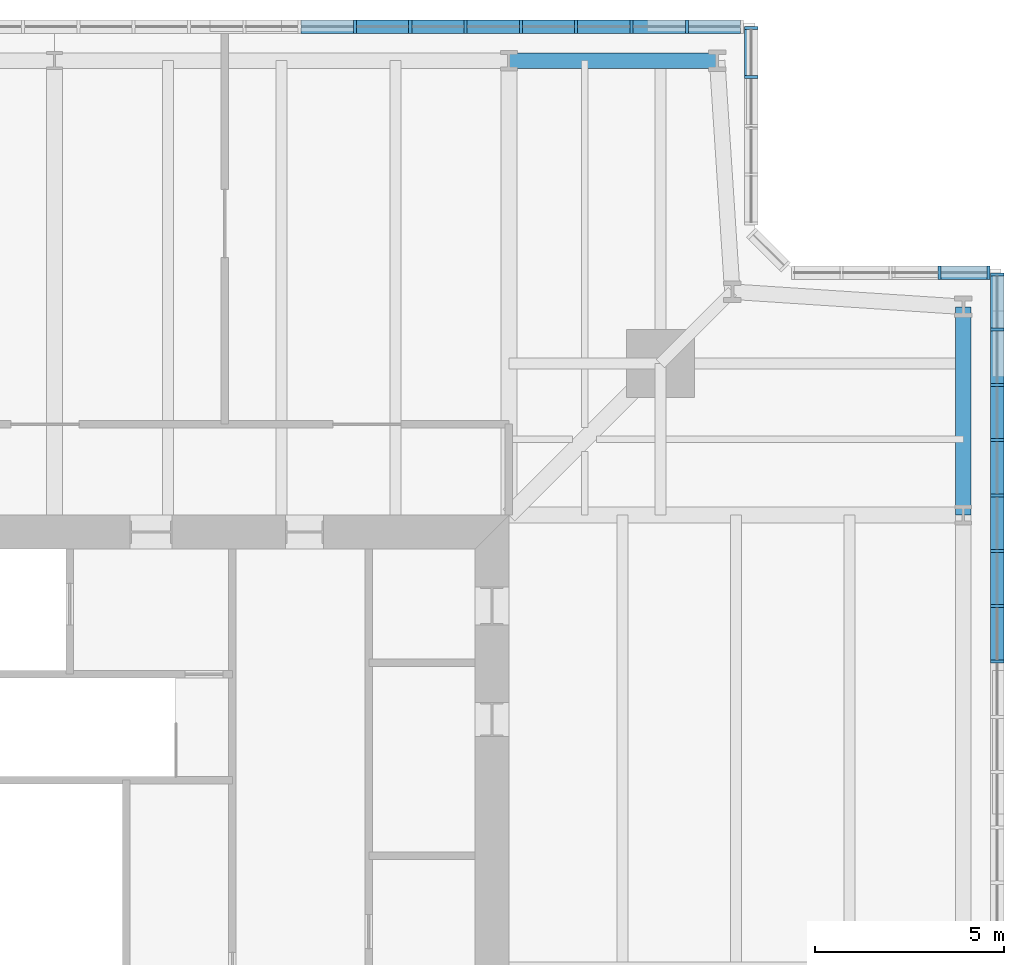
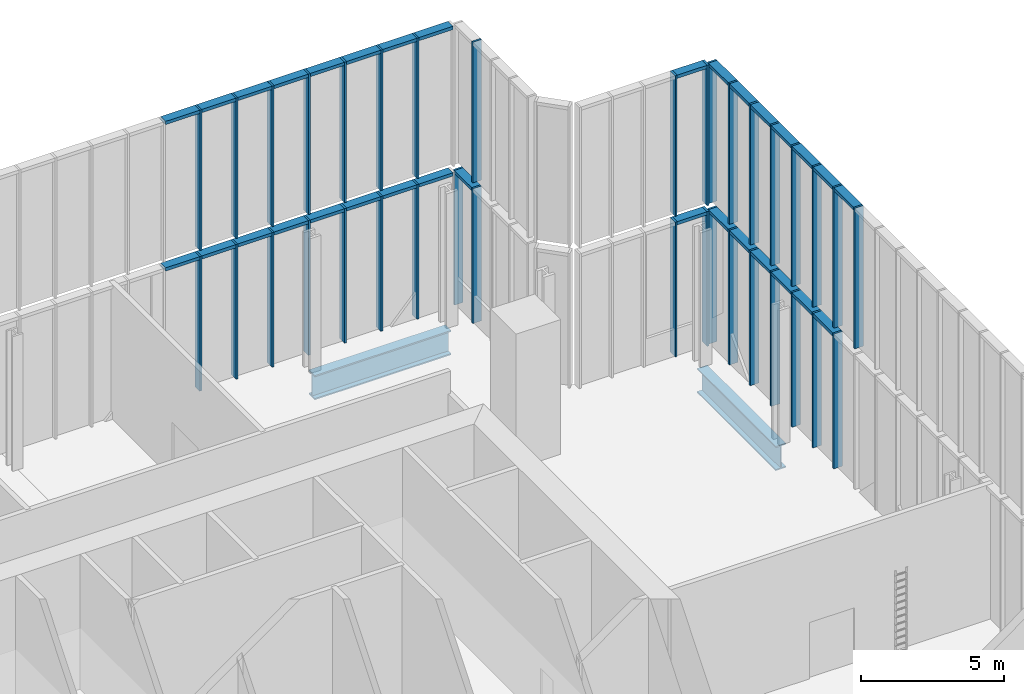
# One storey, part 11 of 25: 68 members, 2 beams, 8 elements without a shape of their own.
"""IFC4 building model written with IfcOpenShell, lengths in metres."""

from ifc_helpers import new_model, si_unit, direction, frame, origin, origin_2d, place, context, subcontext, project, spatial, rectangle, i_section, extrude, material, material_profile, profile_set, type_object, element, aggregate, save


model = new_model("IFC4")

# Units and contexts
model_context = context("Model", 3, precision=1e-05, world=origin(), true_north=direction((0.0, 1.0)))
body_context = subcontext(model_context, "Body", "Model", "MODEL_VIEW")
ifc_project = project(units=[si_unit("LENGTHUNIT", "METRE"), si_unit("AREAUNIT", "SQUARE_METRE"), si_unit("VOLUMEUNIT", "CUBIC_METRE"), si_unit("PLANEANGLEUNIT", "RADIAN"), si_unit("MASSUNIT", "GRAM", prefix="KILO")], contexts=[model_context])

# Site, building, storey
site_placement = place(None, origin())
site = spatial("IfcSite", under=ifc_project, at=site_placement, CompositionType="ELEMENT")
building_placement = place(site_placement, origin())
building = spatial("IfcBuilding", under=site, at=building_placement, Name="Fenwick Lantern Interchange", CompositionType="ELEMENT")
storey_placement = place(building_placement, frame((0.0, 0.0, 307.800048828125)))
storey = spatial("IfcBuildingStorey", under=building, at=storey_placement, Name="L74", CompositionType="ELEMENT", Elevation=307.800048828125)

# Beams
ifc_material_1 = material(Name="Steel ASTM A992 Grade 50", Category="steel")
ifc_material_profile_1 = material_profile(ifc_material_1, i_section(OverallWidth=0.408935546875, OverallDepth=1.04150390625, WebThickness=0.031005859375, FlangeThickness=0.055908203125, at=origin_2d()), Name="W40X397")
ifc_profile_set_1 = profile_set([ifc_material_profile_1], Name="Steel ASTM A992 Grade 50")
beam_type = type_object("IfcBeamType", Name="EDGE BEAM W40X397", PredefinedType="SPANDREL", material=ifc_profile_set_1)
for number, where, z_axis, x_axis, name in (
    (1, (49.0, 37.0, -0.720703125), (0.0, 1.0, 0.0), (-1.0, 0.0, 0.0), "L74/FR/E/EB4"),
    (2, (42.5, 49.0, -0.720703125), (-1.0, 0.0, 0.0), (0.0, -1.0, 0.0), "L74/FR/N/EB1"),
):
    element("IfcBeam", number, at=place(storey_placement, frame(where, z_axis=z_axis, x_axis=x_axis)), inside=storey, type_object=beam_type, Name=name, PredefinedType="SPANDREL", context=body_context, shape_type="SweptSolid", body=[
        extrude(i_section(OverallWidth=0.408935546875, OverallDepth=1.04150390625, WebThickness=0.031005859375, FlangeThickness=0.055908203125, at=origin_2d()), origin(), (0.0, 0.0, 1.0), 5.5),
    ])

# Curtain wall, members
ifc_material_2 = material(Name="Aluminium curtain wall frame", Category="aluminium")
curtain_wall_type = type_object("IfcCurtainWallType", Name="LANTERN GLAZING", PredefinedType="USERDEFINED", material=ifc_material_2)
curtain_wall_1_placement = place(storey_placement, origin())
curtain_wall_1 = element("IfcCurtainWall", 3, at=curtain_wall_1_placement, inside=storey, type_object=curtain_wall_type, Name="Lantern glazing 05", ObjectType="LANTERN GLAZING", PredefinedType="USERDEFINED")
ifc_material_3 = material(Name="Aluminium extrusion", Category="aluminium")
ifc_material_profile_2 = material_profile(ifc_material_3, rectangle(XDim=0.35009765625, YDim=0.080078125, at=origin_2d()), Name="LANTERN GLAZING MULLION 80 X 350")
ifc_profile_set_2 = profile_set([ifc_material_profile_2], Name="Aluminium extrusion")
member_type_1 = type_object("IfcMemberType", Name="LANTERN GLAZING MULLION 80 X 350", PredefinedType="MULLION", material=ifc_profile_set_2)
member_1_placement = place(storey_placement, frame((49.89990234375, 34.59521484375, 0.0), z_axis=(0.0, 0.0, 1.0), x_axis=(-1.0, 0.0, 0.0)))
member_1 = element("IfcMember", 4, at=member_1_placement, type_object=member_type_1, Name="L74/CW/05/M19", PredefinedType="MULLION", context=body_context, shape_type="SweptSolid", body=[
    extrude(rectangle(XDim=0.35009765625, YDim=0.080078125, at=origin_2d()), origin(), (0.0, 0.0, 1.0), 5.75),
])
member_2_placement = place(storey_placement, frame((49.89990234375, 36.055908203125, 0.0), z_axis=(0.0, 0.0, 1.0), x_axis=(-1.0, 0.0, 0.0)))
member_2 = element("IfcMember", 5, at=member_2_placement, type_object=member_type_1, Name="L74/CW/05/M20", PredefinedType="MULLION", context=body_context, shape_type="SweptSolid", body=[
    extrude(rectangle(XDim=0.35009765625, YDim=0.080078125, at=origin_2d()), origin(), (0.0, 0.0, 1.0), 5.75),
])
member_3_placement = place(storey_placement, frame((49.89990234375, 37.516845703125, 0.0), z_axis=(0.0, 0.0, 1.0), x_axis=(-1.0, 0.0, 0.0)))
member_3 = element("IfcMember", 6, at=member_3_placement, type_object=member_type_1, Name="L74/CW/05/M21", PredefinedType="MULLION", context=body_context, shape_type="SweptSolid", body=[
    extrude(rectangle(XDim=0.35009765625, YDim=0.080078125, at=origin_2d()), origin(), (0.0, 0.0, 1.0), 5.75),
])
member_4_placement = place(storey_placement, frame((49.89990234375, 38.9775390625, 0.0), z_axis=(0.0, 0.0, 1.0), x_axis=(-1.0, 0.0, 0.0)))
member_4 = element("IfcMember", 7, at=member_4_placement, type_object=member_type_1, Name="L74/CW/05/M22", PredefinedType="MULLION", context=body_context, shape_type="SweptSolid", body=[
    extrude(rectangle(XDim=0.35009765625, YDim=0.080078125, at=origin_2d()), origin(), (0.0, 0.0, 1.0), 5.75),
])
member_5_placement = place(storey_placement, frame((49.89990234375, 40.4384765625, 0.0), z_axis=(0.0, 0.0, 1.0), x_axis=(-1.0, 0.0, 0.0)))
member_5 = element("IfcMember", 8, at=member_5_placement, type_object=member_type_1, Name="L74/CW/05/M23", PredefinedType="MULLION", context=body_context, shape_type="SweptSolid", body=[
    extrude(rectangle(XDim=0.35009765625, YDim=0.080078125, at=origin_2d()), origin(), (0.0, 0.0, 1.0), 5.75),
])
member_6_placement = place(storey_placement, frame((49.89990234375, 41.899169921875, 0.0), z_axis=(0.0, 0.0, 1.0), x_axis=(-1.0, 0.0, 0.0)))
member_6 = element("IfcMember", 9, at=member_6_placement, type_object=member_type_1, Name="L74/CW/05/M24", PredefinedType="MULLION", context=body_context, shape_type="SweptSolid", body=[
    extrude(rectangle(XDim=0.35009765625, YDim=0.080078125, at=origin_2d()), origin(), (0.0, 0.0, 1.0), 5.75),
])
member_7_placement = place(storey_placement, frame((49.89990234375, 43.360107421875, 0.0), z_axis=(0.0, 0.0, 1.0), x_axis=(-1.0, 0.0, 0.0)))
member_7 = element("IfcMember", 10, at=member_7_placement, type_object=member_type_1, Name="L74/CW/05/M25", PredefinedType="MULLION", context=body_context, shape_type="SweptSolid", body=[
    extrude(rectangle(XDim=0.35009765625, YDim=0.080078125, at=origin_2d()), origin(), (0.0, 0.0, 1.0), 5.75),
])

curtain_wall_2_placement = place(storey_placement, origin())
curtain_wall_2 = element("IfcCurtainWall", 11, at=curtain_wall_2_placement, inside=storey, type_object=curtain_wall_type, Name="Lantern glazing 06", ObjectType="LANTERN GLAZING", PredefinedType="USERDEFINED")
member_8_placement = place(storey_placement, frame((49.659912109375, 43.39990234375, 0.0), z_axis=(0.0, 0.0, 1.0), x_axis=(0.0, -1.0, 0.0)))
member_8 = element("IfcMember", 12, at=member_8_placement, type_object=member_type_1, Name="L74/CW/06/M00", PredefinedType="MULLION", context=body_context, shape_type="SweptSolid", body=[
    extrude(rectangle(XDim=0.35009765625, YDim=0.080078125, at=origin_2d()), origin(), (0.0, 0.0, 1.0), 5.75),
])
member_9_placement = place(storey_placement, frame((48.36962890625, 43.39990234375, 0.0), z_axis=(0.0, 0.0, 1.0), x_axis=(0.0, -1.0, 0.0)))
member_9 = element("IfcMember", 13, at=member_9_placement, type_object=member_type_1, Name="L74/CW/06/M01", PredefinedType="MULLION", context=body_context, shape_type="SweptSolid", body=[
    extrude(rectangle(XDim=0.35009765625, YDim=0.080078125, at=origin_2d()), origin(), (0.0, 0.0, 1.0), 5.75),
])

curtain_wall_3_placement = place(storey_placement, origin())
curtain_wall_3 = element("IfcCurtainWall", 14, at=curtain_wall_3_placement, inside=storey, type_object=curtain_wall_type, Name="Lantern glazing 08", ObjectType="LANTERN GLAZING", PredefinedType="USERDEFINED")
member_10_placement = place(storey_placement, frame((43.39990234375, 48.569580078125, 0.0), z_axis=(0.0, 0.0, 1.0), x_axis=(-1.0, 0.0, 0.0)))
member_10 = element("IfcMember", 15, at=member_10_placement, type_object=member_type_1, Name="L74/CW/08/M03", PredefinedType="MULLION", context=body_context, shape_type="SweptSolid", body=[
    extrude(rectangle(XDim=0.35009765625, YDim=0.080078125, at=origin_2d()), origin(), (0.0, 0.0, 1.0), 5.75),
])
member_11_placement = place(storey_placement, frame((43.39990234375, 49.860107421875, 0.0), z_axis=(0.0, 0.0, 1.0), x_axis=(-1.0, 0.0, 0.0)))
member_11 = element("IfcMember", 16, at=member_11_placement, type_object=member_type_1, Name="L74/CW/08/M04", PredefinedType="MULLION", context=body_context, shape_type="SweptSolid", body=[
    extrude(rectangle(XDim=0.35009765625, YDim=0.080078125, at=origin_2d()), origin(), (0.0, 0.0, 1.0), 5.75),
])

curtain_wall_4_placement = place(storey_placement, origin())
curtain_wall_4 = element("IfcCurtainWall", 17, at=curtain_wall_4_placement, inside=storey, type_object=curtain_wall_type, Name="Lantern glazing 09", ObjectType="LANTERN GLAZING", PredefinedType="USERDEFINED")
member_12_placement = place(storey_placement, frame((41.69921875, 49.89990234375, 0.0), z_axis=(0.0, 0.0, 1.0), x_axis=(0.0, -1.0, 0.0)))
member_12 = element("IfcMember", 18, at=member_12_placement, type_object=member_type_1, Name="L74/CW/09/M01", PredefinedType="MULLION", context=body_context, shape_type="SweptSolid", body=[
    extrude(rectangle(XDim=0.35009765625, YDim=0.080078125, at=origin_2d()), origin(), (0.0, 0.0, 1.0), 5.75),
])
member_13_placement = place(storey_placement, frame((40.23828125, 49.89990234375, 0.0), z_axis=(0.0, 0.0, 1.0), x_axis=(0.0, -1.0, 0.0)))
member_13 = element("IfcMember", 19, at=member_13_placement, type_object=member_type_1, Name="L74/CW/09/M02", PredefinedType="MULLION", context=body_context, shape_type="SweptSolid", body=[
    extrude(rectangle(XDim=0.35009765625, YDim=0.080078125, at=origin_2d()), origin(), (0.0, 0.0, 1.0), 5.75),
])
member_14_placement = place(storey_placement, frame((38.777587890625, 49.89990234375, 0.0), z_axis=(0.0, 0.0, 1.0), x_axis=(0.0, -1.0, 0.0)))
member_14 = element("IfcMember", 20, at=member_14_placement, type_object=member_type_1, Name="L74/CW/09/M03", PredefinedType="MULLION", context=body_context, shape_type="SweptSolid", body=[
    extrude(rectangle(XDim=0.35009765625, YDim=0.080078125, at=origin_2d()), origin(), (0.0, 0.0, 1.0), 5.75),
])
member_15_placement = place(storey_placement, frame((37.31689453125, 49.89990234375, 0.0), z_axis=(0.0, 0.0, 1.0), x_axis=(0.0, -1.0, 0.0)))
member_15 = element("IfcMember", 21, at=member_15_placement, type_object=member_type_1, Name="L74/CW/09/M04", PredefinedType="MULLION", context=body_context, shape_type="SweptSolid", body=[
    extrude(rectangle(XDim=0.35009765625, YDim=0.080078125, at=origin_2d()), origin(), (0.0, 0.0, 1.0), 5.75),
])
member_16_placement = place(storey_placement, frame((35.85595703125, 49.89990234375, 0.0), z_axis=(0.0, 0.0, 1.0), x_axis=(0.0, -1.0, 0.0)))
member_16 = element("IfcMember", 22, at=member_16_placement, type_object=member_type_1, Name="L74/CW/09/M05", PredefinedType="MULLION", context=body_context, shape_type="SweptSolid", body=[
    extrude(rectangle(XDim=0.35009765625, YDim=0.080078125, at=origin_2d()), origin(), (0.0, 0.0, 1.0), 5.75),
])
member_17_placement = place(storey_placement, frame((34.395263671875, 49.89990234375, 0.0), z_axis=(0.0, 0.0, 1.0), x_axis=(0.0, -1.0, 0.0)))
member_17 = element("IfcMember", 23, at=member_17_placement, type_object=member_type_1, Name="L74/CW/09/M06", PredefinedType="MULLION", context=body_context, shape_type="SweptSolid", body=[
    extrude(rectangle(XDim=0.35009765625, YDim=0.080078125, at=origin_2d()), origin(), (0.0, 0.0, 1.0), 5.75),
])
member_18_placement = place(storey_placement, frame((32.934326171875, 49.89990234375, 0.0), z_axis=(0.0, 0.0, 1.0), x_axis=(0.0, -1.0, 0.0)))
member_18 = element("IfcMember", 24, at=member_18_placement, type_object=member_type_1, Name="L74/CW/09/M07", PredefinedType="MULLION", context=body_context, shape_type="SweptSolid", body=[
    extrude(rectangle(XDim=0.35009765625, YDim=0.080078125, at=origin_2d()), origin(), (0.0, 0.0, 1.0), 5.75),
])

curtain_wall_5_placement = place(storey_placement, origin())
curtain_wall_5 = element("IfcCurtainWall", 25, at=curtain_wall_5_placement, inside=storey, type_object=curtain_wall_type, Name="Lantern glazing 05", ObjectType="LANTERN GLAZING", PredefinedType="USERDEFINED")
member_19_placement = place(storey_placement, frame((49.89990234375, 33.134521484375, 6.0), z_axis=(0.0, 0.0, 1.0), x_axis=(-1.0, 0.0, 0.0)))
member_19 = element("IfcMember", 26, at=member_19_placement, type_object=member_type_1, Name="RF/LANTERN/05/M18", PredefinedType="MULLION", context=body_context, shape_type="SweptSolid", body=[
    extrude(rectangle(XDim=0.35009765625, YDim=0.080078125, at=origin_2d()), origin(), (0.0, 0.0, 1.0), 6.0),
])
member_20_placement = place(storey_placement, frame((49.89990234375, 34.59521484375, 6.0), z_axis=(0.0, 0.0, 1.0), x_axis=(-1.0, 0.0, 0.0)))
member_20 = element("IfcMember", 27, at=member_20_placement, type_object=member_type_1, Name="RF/LANTERN/05/M19", PredefinedType="MULLION", context=body_context, shape_type="SweptSolid", body=[
    extrude(rectangle(XDim=0.35009765625, YDim=0.080078125, at=origin_2d()), origin(), (0.0, 0.0, 1.0), 6.0),
])
member_21_placement = place(storey_placement, frame((49.89990234375, 36.055908203125, 6.0), z_axis=(0.0, 0.0, 1.0), x_axis=(-1.0, 0.0, 0.0)))
member_21 = element("IfcMember", 28, at=member_21_placement, type_object=member_type_1, Name="RF/LANTERN/05/M20", PredefinedType="MULLION", context=body_context, shape_type="SweptSolid", body=[
    extrude(rectangle(XDim=0.35009765625, YDim=0.080078125, at=origin_2d()), origin(), (0.0, 0.0, 1.0), 6.0),
])
member_22_placement = place(storey_placement, frame((49.89990234375, 37.516845703125, 6.0), z_axis=(0.0, 0.0, 1.0), x_axis=(-1.0, 0.0, 0.0)))
member_22 = element("IfcMember", 29, at=member_22_placement, type_object=member_type_1, Name="RF/LANTERN/05/M21", PredefinedType="MULLION", context=body_context, shape_type="SweptSolid", body=[
    extrude(rectangle(XDim=0.35009765625, YDim=0.080078125, at=origin_2d()), origin(), (0.0, 0.0, 1.0), 6.0),
])
member_23_placement = place(storey_placement, frame((49.89990234375, 38.9775390625, 6.0), z_axis=(0.0, 0.0, 1.0), x_axis=(-1.0, 0.0, 0.0)))
member_23 = element("IfcMember", 30, at=member_23_placement, type_object=member_type_1, Name="RF/LANTERN/05/M22", PredefinedType="MULLION", context=body_context, shape_type="SweptSolid", body=[
    extrude(rectangle(XDim=0.35009765625, YDim=0.080078125, at=origin_2d()), origin(), (0.0, 0.0, 1.0), 6.0),
])
member_24_placement = place(storey_placement, frame((49.89990234375, 40.4384765625, 6.0), z_axis=(0.0, 0.0, 1.0), x_axis=(-1.0, 0.0, 0.0)))
member_24 = element("IfcMember", 31, at=member_24_placement, type_object=member_type_1, Name="RF/LANTERN/05/M23", PredefinedType="MULLION", context=body_context, shape_type="SweptSolid", body=[
    extrude(rectangle(XDim=0.35009765625, YDim=0.080078125, at=origin_2d()), origin(), (0.0, 0.0, 1.0), 6.0),
])
member_25_placement = place(storey_placement, frame((49.89990234375, 41.899169921875, 6.0), z_axis=(0.0, 0.0, 1.0), x_axis=(-1.0, 0.0, 0.0)))
member_25 = element("IfcMember", 32, at=member_25_placement, type_object=member_type_1, Name="RF/LANTERN/05/M24", PredefinedType="MULLION", context=body_context, shape_type="SweptSolid", body=[
    extrude(rectangle(XDim=0.35009765625, YDim=0.080078125, at=origin_2d()), origin(), (0.0, 0.0, 1.0), 6.0),
])
member_26_placement = place(storey_placement, frame((49.89990234375, 43.360107421875, 6.0), z_axis=(0.0, 0.0, 1.0), x_axis=(-1.0, 0.0, 0.0)))
member_26 = element("IfcMember", 33, at=member_26_placement, type_object=member_type_1, Name="RF/LANTERN/05/M25", PredefinedType="MULLION", context=body_context, shape_type="SweptSolid", body=[
    extrude(rectangle(XDim=0.35009765625, YDim=0.080078125, at=origin_2d()), origin(), (0.0, 0.0, 1.0), 6.0),
])

curtain_wall_6_placement = place(storey_placement, origin())
curtain_wall_6 = element("IfcCurtainWall", 34, at=curtain_wall_6_placement, inside=storey, type_object=curtain_wall_type, Name="Lantern glazing 06", ObjectType="LANTERN GLAZING", PredefinedType="USERDEFINED")
member_27_placement = place(storey_placement, frame((49.659912109375, 43.39990234375, 6.0), z_axis=(0.0, 0.0, 1.0), x_axis=(0.0, -1.0, 0.0)))
member_27 = element("IfcMember", 35, at=member_27_placement, type_object=member_type_1, Name="RF/LANTERN/06/M00", PredefinedType="MULLION", context=body_context, shape_type="SweptSolid", body=[
    extrude(rectangle(XDim=0.35009765625, YDim=0.080078125, at=origin_2d()), origin(), (0.0, 0.0, 1.0), 6.0),
])
member_28_placement = place(storey_placement, frame((48.36962890625, 43.39990234375, 6.0), z_axis=(0.0, 0.0, 1.0), x_axis=(0.0, -1.0, 0.0)))
member_28 = element("IfcMember", 36, at=member_28_placement, type_object=member_type_1, Name="RF/LANTERN/06/M01", PredefinedType="MULLION", context=body_context, shape_type="SweptSolid", body=[
    extrude(rectangle(XDim=0.35009765625, YDim=0.080078125, at=origin_2d()), origin(), (0.0, 0.0, 1.0), 6.0),
])

# Curtain wall, member
curtain_wall_7_placement = place(storey_placement, origin())
curtain_wall_7 = element("IfcCurtainWall", 37, at=curtain_wall_7_placement, inside=storey, type_object=curtain_wall_type, Name="Lantern glazing 08", ObjectType="LANTERN GLAZING", PredefinedType="USERDEFINED")
member_29_placement = place(storey_placement, frame((43.39990234375, 48.569580078125, 6.0), z_axis=(0.0, 0.0, 1.0), x_axis=(-1.0, 0.0, 0.0)))
member_29 = element("IfcMember", 38, at=member_29_placement, type_object=member_type_1, Name="RF/LANTERN/08/M03", PredefinedType="MULLION", context=body_context, shape_type="SweptSolid", body=[
    extrude(rectangle(XDim=0.35009765625, YDim=0.080078125, at=origin_2d()), origin(), (0.0, 0.0, 1.0), 6.0),
])
aggregate(curtain_wall_7, [member_29])

# Curtain wall, members
curtain_wall_8_placement = place(storey_placement, origin())
curtain_wall_8 = element("IfcCurtainWall", 39, at=curtain_wall_8_placement, inside=storey, type_object=curtain_wall_type, Name="Lantern glazing 09", ObjectType="LANTERN GLAZING", PredefinedType="USERDEFINED")
member_30_placement = place(storey_placement, frame((41.69921875, 49.89990234375, 6.0), z_axis=(0.0, 0.0, 1.0), x_axis=(0.0, -1.0, 0.0)))
member_30 = element("IfcMember", 40, at=member_30_placement, type_object=member_type_1, Name="RF/LANTERN/09/M01", PredefinedType="MULLION", context=body_context, shape_type="SweptSolid", body=[
    extrude(rectangle(XDim=0.35009765625, YDim=0.080078125, at=origin_2d()), origin(), (0.0, 0.0, 1.0), 6.0),
])
member_31_placement = place(storey_placement, frame((40.23828125, 49.89990234375, 6.0), z_axis=(0.0, 0.0, 1.0), x_axis=(0.0, -1.0, 0.0)))
member_31 = element("IfcMember", 41, at=member_31_placement, type_object=member_type_1, Name="RF/LANTERN/09/M02", PredefinedType="MULLION", context=body_context, shape_type="SweptSolid", body=[
    extrude(rectangle(XDim=0.35009765625, YDim=0.080078125, at=origin_2d()), origin(), (0.0, 0.0, 1.0), 6.0),
])
member_32_placement = place(storey_placement, frame((38.777587890625, 49.89990234375, 6.0), z_axis=(0.0, 0.0, 1.0), x_axis=(0.0, -1.0, 0.0)))
member_32 = element("IfcMember", 42, at=member_32_placement, type_object=member_type_1, Name="RF/LANTERN/09/M03", PredefinedType="MULLION", context=body_context, shape_type="SweptSolid", body=[
    extrude(rectangle(XDim=0.35009765625, YDim=0.080078125, at=origin_2d()), origin(), (0.0, 0.0, 1.0), 6.0),
])
member_33_placement = place(storey_placement, frame((37.31689453125, 49.89990234375, 6.0), z_axis=(0.0, 0.0, 1.0), x_axis=(0.0, -1.0, 0.0)))
member_33 = element("IfcMember", 43, at=member_33_placement, type_object=member_type_1, Name="RF/LANTERN/09/M04", PredefinedType="MULLION", context=body_context, shape_type="SweptSolid", body=[
    extrude(rectangle(XDim=0.35009765625, YDim=0.080078125, at=origin_2d()), origin(), (0.0, 0.0, 1.0), 6.0),
])
member_34_placement = place(storey_placement, frame((35.85595703125, 49.89990234375, 6.0), z_axis=(0.0, 0.0, 1.0), x_axis=(0.0, -1.0, 0.0)))
member_34 = element("IfcMember", 44, at=member_34_placement, type_object=member_type_1, Name="RF/LANTERN/09/M05", PredefinedType="MULLION", context=body_context, shape_type="SweptSolid", body=[
    extrude(rectangle(XDim=0.35009765625, YDim=0.080078125, at=origin_2d()), origin(), (0.0, 0.0, 1.0), 6.0),
])
member_35_placement = place(storey_placement, frame((34.395263671875, 49.89990234375, 6.0), z_axis=(0.0, 0.0, 1.0), x_axis=(0.0, -1.0, 0.0)))
member_35 = element("IfcMember", 45, at=member_35_placement, type_object=member_type_1, Name="RF/LANTERN/09/M06", PredefinedType="MULLION", context=body_context, shape_type="SweptSolid", body=[
    extrude(rectangle(XDim=0.35009765625, YDim=0.080078125, at=origin_2d()), origin(), (0.0, 0.0, 1.0), 6.0),
])
member_36_placement = place(storey_placement, frame((32.934326171875, 49.89990234375, 6.0), z_axis=(0.0, 0.0, 1.0), x_axis=(0.0, -1.0, 0.0)))
member_36 = element("IfcMember", 46, at=member_36_placement, type_object=member_type_1, Name="RF/LANTERN/09/M07", PredefinedType="MULLION", context=body_context, shape_type="SweptSolid", body=[
    extrude(rectangle(XDim=0.35009765625, YDim=0.080078125, at=origin_2d()), origin(), (0.0, 0.0, 1.0), 6.0),
])

# Member
ifc_material_profile_3 = material_profile(ifc_material_3, rectangle(XDim=0.35009765625, YDim=0.139892578125, at=origin_2d()), Name="LANTERN GLAZING TRANSOM 140 X 350")
ifc_profile_set_3 = profile_set([ifc_material_profile_3], Name="Aluminium extrusion")
member_type_2 = type_object("IfcMemberType", Name="LANTERN GLAZING TRANSOM 140 X 350", PredefinedType="MULLION", material=ifc_profile_set_3)
member_37_placement = place(storey_placement, frame((49.89990234375, 34.63525390625, 5.679931640625), z_axis=(0.0, 1.0, 0.0), x_axis=(-1.0, 0.0, 0.0)))
member_37 = element("IfcMember", 47, at=member_37_placement, type_object=member_type_2, Name="L74/CW/05/T19", PredefinedType="MULLION", context=body_context, shape_type="SweptSolid", body=[
    extrude(rectangle(XDim=0.35009765625, YDim=0.139892578125, at=origin_2d()), origin(), (0.0, 0.0, 1.0), 1.380859375),
])

member_38_placement = place(storey_placement, frame((49.89990234375, 36.095947265625, 5.679931640625), z_axis=(0.0, 1.0, 0.0), x_axis=(-1.0, 0.0, 0.0)))
member_38 = element("IfcMember", 48, at=member_38_placement, type_object=member_type_2, Name="L74/CW/05/T20", PredefinedType="MULLION", context=body_context, shape_type="SweptSolid", body=[
    extrude(rectangle(XDim=0.35009765625, YDim=0.139892578125, at=origin_2d()), origin(), (0.0, 0.0, 1.0), 1.380859375),
])

member_39_placement = place(storey_placement, frame((49.89990234375, 37.556884765625, 5.679931640625), z_axis=(0.0, 1.0, 0.0), x_axis=(-1.0, 0.0, 0.0)))
member_39 = element("IfcMember", 49, at=member_39_placement, type_object=member_type_2, Name="L74/CW/05/T21", PredefinedType="MULLION", context=body_context, shape_type="SweptSolid", body=[
    extrude(rectangle(XDim=0.35009765625, YDim=0.139892578125, at=origin_2d()), origin(), (0.0, 0.0, 1.0), 1.380615234375),
])

member_40_placement = place(storey_placement, frame((49.89990234375, 39.017578125, 5.679931640625), z_axis=(0.0, 1.0, 0.0), x_axis=(-1.0, 0.0, 0.0)))
member_40 = element("IfcMember", 50, at=member_40_placement, type_object=member_type_2, Name="L74/CW/05/T22", PredefinedType="MULLION", context=body_context, shape_type="SweptSolid", body=[
    extrude(rectangle(XDim=0.35009765625, YDim=0.139892578125, at=origin_2d()), origin(), (0.0, 0.0, 1.0), 1.380859375),
])

member_41_placement = place(storey_placement, frame((49.89990234375, 40.478515625, 5.679931640625), z_axis=(0.0, 1.0, 0.0), x_axis=(-1.0, 0.0, 0.0)))
member_41 = element("IfcMember", 51, at=member_41_placement, type_object=member_type_2, Name="L74/CW/05/T23", PredefinedType="MULLION", context=body_context, shape_type="SweptSolid", body=[
    extrude(rectangle(XDim=0.35009765625, YDim=0.139892578125, at=origin_2d()), origin(), (0.0, 0.0, 1.0), 1.380615234375),
])

member_42_placement = place(storey_placement, frame((49.89990234375, 41.939208984375, 5.679931640625), z_axis=(0.0, 1.0, 0.0), x_axis=(-1.0, 0.0, 0.0)))
member_42 = element("IfcMember", 52, at=member_42_placement, type_object=member_type_2, Name="L74/CW/05/T24", PredefinedType="MULLION", context=body_context, shape_type="SweptSolid", body=[
    extrude(rectangle(XDim=0.35009765625, YDim=0.139892578125, at=origin_2d()), origin(), (0.0, 0.0, 1.0), 1.380859375),
])

aggregate(curtain_wall_1, [member_1, member_2, member_3, member_4, member_5, member_6, member_7, member_37, member_38, member_39, member_40, member_41, member_42])

member_43_placement = place(storey_placement, frame((49.6201171875, 43.39990234375, 5.679931640625), z_axis=(-1.0, 0.0, 0.0), x_axis=(0.0, -1.0, 0.0)))
member_43 = element("IfcMember", 53, at=member_43_placement, type_object=member_type_2, Name="L74/CW/06/T00", PredefinedType="MULLION", context=body_context, shape_type="SweptSolid", body=[
    extrude(rectangle(XDim=0.35009765625, YDim=0.139892578125, at=origin_2d()), origin(), (0.0, 0.0, 1.0), 1.21044921875),
])

aggregate(curtain_wall_2, [member_8, member_9, member_43])

member_44_placement = place(storey_placement, frame((43.39990234375, 48.609619140625, 5.679931640625), z_axis=(0.0, 1.0, 0.0), x_axis=(-1.0, 0.0, 0.0)))
member_44 = element("IfcMember", 54, at=member_44_placement, type_object=member_type_2, Name="L74/CW/08/T03", PredefinedType="MULLION", context=body_context, shape_type="SweptSolid", body=[
    extrude(rectangle(XDim=0.35009765625, YDim=0.139892578125, at=origin_2d()), origin(), (0.0, 0.0, 1.0), 1.21044921875),
])

aggregate(curtain_wall_3, [member_10, member_11, member_44])

member_45_placement = place(storey_placement, frame((43.1201171875, 49.89990234375, 5.679931640625), z_axis=(-1.0, 0.0, 0.0), x_axis=(0.0, -1.0, 0.0)))
member_45 = element("IfcMember", 55, at=member_45_placement, type_object=member_type_2, Name="L74/CW/09/T00", PredefinedType="MULLION", context=body_context, shape_type="SweptSolid", body=[
    extrude(rectangle(XDim=0.35009765625, YDim=0.139892578125, at=origin_2d()), origin(), (0.0, 0.0, 1.0), 1.380859375),
])

member_46_placement = place(storey_placement, frame((41.6591796875, 49.89990234375, 5.679931640625), z_axis=(-1.0, 0.0, 0.0), x_axis=(0.0, -1.0, 0.0)))
member_46 = element("IfcMember", 56, at=member_46_placement, type_object=member_type_2, Name="L74/CW/09/T01", PredefinedType="MULLION", context=body_context, shape_type="SweptSolid", body=[
    extrude(rectangle(XDim=0.35009765625, YDim=0.139892578125, at=origin_2d()), origin(), (0.0, 0.0, 1.0), 1.380859375),
])

member_47_placement = place(storey_placement, frame((40.198486328125, 49.89990234375, 5.679931640625), z_axis=(-1.0, 0.0, 0.0), x_axis=(0.0, -1.0, 0.0)))
member_47 = element("IfcMember", 57, at=member_47_placement, type_object=member_type_2, Name="L74/CW/09/T02", PredefinedType="MULLION", context=body_context, shape_type="SweptSolid", body=[
    extrude(rectangle(XDim=0.35009765625, YDim=0.139892578125, at=origin_2d()), origin(), (0.0, 0.0, 1.0), 1.380859375),
])

member_48_placement = place(storey_placement, frame((38.737548828125, 49.89990234375, 5.679931640625), z_axis=(-1.0, 0.0, 0.0), x_axis=(0.0, -1.0, 0.0)))
member_48 = element("IfcMember", 58, at=member_48_placement, type_object=member_type_2, Name="L74/CW/09/T03", PredefinedType="MULLION", context=body_context, shape_type="SweptSolid", body=[
    extrude(rectangle(XDim=0.35009765625, YDim=0.139892578125, at=origin_2d()), origin(), (0.0, 0.0, 1.0), 1.380859375),
])

member_49_placement = place(storey_placement, frame((37.27685546875, 49.89990234375, 5.679931640625), z_axis=(-1.0, 0.0, 0.0), x_axis=(0.0, -1.0, 0.0)))
member_49 = element("IfcMember", 59, at=member_49_placement, type_object=member_type_2, Name="L74/CW/09/T04", PredefinedType="MULLION", context=body_context, shape_type="SweptSolid", body=[
    extrude(rectangle(XDim=0.35009765625, YDim=0.139892578125, at=origin_2d()), origin(), (0.0, 0.0, 1.0), 1.380859375),
])

member_50_placement = place(storey_placement, frame((35.81591796875, 49.89990234375, 5.679931640625), z_axis=(-1.0, 0.0, 0.0), x_axis=(0.0, -1.0, 0.0)))
member_50 = element("IfcMember", 60, at=member_50_placement, type_object=member_type_2, Name="L74/CW/09/T05", PredefinedType="MULLION", context=body_context, shape_type="SweptSolid", body=[
    extrude(rectangle(XDim=0.35009765625, YDim=0.139892578125, at=origin_2d()), origin(), (0.0, 0.0, 1.0), 1.380615234375),
])

member_51_placement = place(storey_placement, frame((34.355224609375, 49.89990234375, 5.679931640625), z_axis=(-1.0, 0.0, 0.0), x_axis=(0.0, -1.0, 0.0)))
member_51 = element("IfcMember", 61, at=member_51_placement, type_object=member_type_2, Name="L74/CW/09/T06", PredefinedType="MULLION", context=body_context, shape_type="SweptSolid", body=[
    extrude(rectangle(XDim=0.35009765625, YDim=0.139892578125, at=origin_2d()), origin(), (0.0, 0.0, 1.0), 1.380859375),
])

member_52_placement = place(storey_placement, frame((32.894287109375, 49.89990234375, 5.679931640625), z_axis=(-1.0, 0.0, 0.0), x_axis=(0.0, -1.0, 0.0)))
member_52 = element("IfcMember", 62, at=member_52_placement, type_object=member_type_2, Name="L74/CW/09/T07", PredefinedType="MULLION", context=body_context, shape_type="SweptSolid", body=[
    extrude(rectangle(XDim=0.35009765625, YDim=0.139892578125, at=origin_2d()), origin(), (0.0, 0.0, 1.0), 1.380615234375),
])

aggregate(curtain_wall_4, [member_12, member_13, member_14, member_15, member_16, member_17, member_18, member_45, member_46, member_47, member_48, member_49, member_50, member_51, member_52])

member_53_placement = place(storey_placement, frame((49.89990234375, 33.17431640625, 11.929931640625), z_axis=(0.0, 1.0, 0.0), x_axis=(-1.0, 0.0, 0.0)))
member_53 = element("IfcMember", 63, at=member_53_placement, type_object=member_type_2, Name="RF/LANTERN/05/T18", PredefinedType="MULLION", context=body_context, shape_type="SweptSolid", body=[
    extrude(rectangle(XDim=0.35009765625, YDim=0.139892578125, at=origin_2d()), origin(), (0.0, 0.0, 1.0), 1.380859375),
])

member_54_placement = place(storey_placement, frame((49.89990234375, 34.63525390625, 11.929931640625), z_axis=(0.0, 1.0, 0.0), x_axis=(-1.0, 0.0, 0.0)))
member_54 = element("IfcMember", 64, at=member_54_placement, type_object=member_type_2, Name="RF/LANTERN/05/T19", PredefinedType="MULLION", context=body_context, shape_type="SweptSolid", body=[
    extrude(rectangle(XDim=0.35009765625, YDim=0.139892578125, at=origin_2d()), origin(), (0.0, 0.0, 1.0), 1.380859375),
])

member_55_placement = place(storey_placement, frame((49.89990234375, 36.095947265625, 11.929931640625), z_axis=(0.0, 1.0, 0.0), x_axis=(-1.0, 0.0, 0.0)))
member_55 = element("IfcMember", 65, at=member_55_placement, type_object=member_type_2, Name="RF/LANTERN/05/T20", PredefinedType="MULLION", context=body_context, shape_type="SweptSolid", body=[
    extrude(rectangle(XDim=0.35009765625, YDim=0.139892578125, at=origin_2d()), origin(), (0.0, 0.0, 1.0), 1.380859375),
])

member_56_placement = place(storey_placement, frame((49.89990234375, 37.556884765625, 11.929931640625), z_axis=(0.0, 1.0, 0.0), x_axis=(-1.0, 0.0, 0.0)))
member_56 = element("IfcMember", 66, at=member_56_placement, type_object=member_type_2, Name="RF/LANTERN/05/T21", PredefinedType="MULLION", context=body_context, shape_type="SweptSolid", body=[
    extrude(rectangle(XDim=0.35009765625, YDim=0.139892578125, at=origin_2d()), origin(), (0.0, 0.0, 1.0), 1.380615234375),
])

member_57_placement = place(storey_placement, frame((49.89990234375, 39.017578125, 11.929931640625), z_axis=(0.0, 1.0, 0.0), x_axis=(-1.0, 0.0, 0.0)))
member_57 = element("IfcMember", 67, at=member_57_placement, type_object=member_type_2, Name="RF/LANTERN/05/T22", PredefinedType="MULLION", context=body_context, shape_type="SweptSolid", body=[
    extrude(rectangle(XDim=0.35009765625, YDim=0.139892578125, at=origin_2d()), origin(), (0.0, 0.0, 1.0), 1.380859375),
])

member_58_placement = place(storey_placement, frame((49.89990234375, 40.478515625, 11.929931640625), z_axis=(0.0, 1.0, 0.0), x_axis=(-1.0, 0.0, 0.0)))
member_58 = element("IfcMember", 68, at=member_58_placement, type_object=member_type_2, Name="RF/LANTERN/05/T23", PredefinedType="MULLION", context=body_context, shape_type="SweptSolid", body=[
    extrude(rectangle(XDim=0.35009765625, YDim=0.139892578125, at=origin_2d()), origin(), (0.0, 0.0, 1.0), 1.380615234375),
])

member_59_placement = place(storey_placement, frame((49.89990234375, 41.939208984375, 11.929931640625), z_axis=(0.0, 1.0, 0.0), x_axis=(-1.0, 0.0, 0.0)))
member_59 = element("IfcMember", 69, at=member_59_placement, type_object=member_type_2, Name="RF/LANTERN/05/T24", PredefinedType="MULLION", context=body_context, shape_type="SweptSolid", body=[
    extrude(rectangle(XDim=0.35009765625, YDim=0.139892578125, at=origin_2d()), origin(), (0.0, 0.0, 1.0), 1.380859375),
])

aggregate(curtain_wall_5, [member_19, member_20, member_21, member_22, member_23, member_24, member_25, member_26, member_53, member_54, member_55, member_56, member_57, member_58, member_59])

member_60_placement = place(storey_placement, frame((49.6201171875, 43.39990234375, 11.929931640625), z_axis=(-1.0, 0.0, 0.0), x_axis=(0.0, -1.0, 0.0)))
member_60 = element("IfcMember", 70, at=member_60_placement, type_object=member_type_2, Name="RF/LANTERN/06/T00", PredefinedType="MULLION", context=body_context, shape_type="SweptSolid", body=[
    extrude(rectangle(XDim=0.35009765625, YDim=0.139892578125, at=origin_2d()), origin(), (0.0, 0.0, 1.0), 1.21044921875),
])

aggregate(curtain_wall_6, [member_27, member_28, member_60])

member_61_placement = place(storey_placement, frame((43.1201171875, 49.89990234375, 11.929931640625), z_axis=(-1.0, 0.0, 0.0), x_axis=(0.0, -1.0, 0.0)))
member_61 = element("IfcMember", 71, at=member_61_placement, type_object=member_type_2, Name="RF/LANTERN/09/T00", PredefinedType="MULLION", context=body_context, shape_type="SweptSolid", body=[
    extrude(rectangle(XDim=0.35009765625, YDim=0.139892578125, at=origin_2d()), origin(), (0.0, 0.0, 1.0), 1.380859375),
])

member_62_placement = place(storey_placement, frame((41.6591796875, 49.89990234375, 11.929931640625), z_axis=(-1.0, 0.0, 0.0), x_axis=(0.0, -1.0, 0.0)))
member_62 = element("IfcMember", 72, at=member_62_placement, type_object=member_type_2, Name="RF/LANTERN/09/T01", PredefinedType="MULLION", context=body_context, shape_type="SweptSolid", body=[
    extrude(rectangle(XDim=0.35009765625, YDim=0.139892578125, at=origin_2d()), origin(), (0.0, 0.0, 1.0), 1.380859375),
])

member_63_placement = place(storey_placement, frame((40.198486328125, 49.89990234375, 11.929931640625), z_axis=(-1.0, 0.0, 0.0), x_axis=(0.0, -1.0, 0.0)))
member_63 = element("IfcMember", 73, at=member_63_placement, type_object=member_type_2, Name="RF/LANTERN/09/T02", PredefinedType="MULLION", context=body_context, shape_type="SweptSolid", body=[
    extrude(rectangle(XDim=0.35009765625, YDim=0.139892578125, at=origin_2d()), origin(), (0.0, 0.0, 1.0), 1.380859375),
])

member_64_placement = place(storey_placement, frame((38.737548828125, 49.89990234375, 11.929931640625), z_axis=(-1.0, 0.0, 0.0), x_axis=(0.0, -1.0, 0.0)))
member_64 = element("IfcMember", 74, at=member_64_placement, type_object=member_type_2, Name="RF/LANTERN/09/T03", PredefinedType="MULLION", context=body_context, shape_type="SweptSolid", body=[
    extrude(rectangle(XDim=0.35009765625, YDim=0.139892578125, at=origin_2d()), origin(), (0.0, 0.0, 1.0), 1.380859375),
])

member_65_placement = place(storey_placement, frame((37.27685546875, 49.89990234375, 11.929931640625), z_axis=(-1.0, 0.0, 0.0), x_axis=(0.0, -1.0, 0.0)))
member_65 = element("IfcMember", 75, at=member_65_placement, type_object=member_type_2, Name="RF/LANTERN/09/T04", PredefinedType="MULLION", context=body_context, shape_type="SweptSolid", body=[
    extrude(rectangle(XDim=0.35009765625, YDim=0.139892578125, at=origin_2d()), origin(), (0.0, 0.0, 1.0), 1.380859375),
])

member_66_placement = place(storey_placement, frame((35.81591796875, 49.89990234375, 11.929931640625), z_axis=(-1.0, 0.0, 0.0), x_axis=(0.0, -1.0, 0.0)))
member_66 = element("IfcMember", 76, at=member_66_placement, type_object=member_type_2, Name="RF/LANTERN/09/T05", PredefinedType="MULLION", context=body_context, shape_type="SweptSolid", body=[
    extrude(rectangle(XDim=0.35009765625, YDim=0.139892578125, at=origin_2d()), origin(), (0.0, 0.0, 1.0), 1.380615234375),
])

member_67_placement = place(storey_placement, frame((34.355224609375, 49.89990234375, 11.929931640625), z_axis=(-1.0, 0.0, 0.0), x_axis=(0.0, -1.0, 0.0)))
member_67 = element("IfcMember", 77, at=member_67_placement, type_object=member_type_2, Name="RF/LANTERN/09/T06", PredefinedType="MULLION", context=body_context, shape_type="SweptSolid", body=[
    extrude(rectangle(XDim=0.35009765625, YDim=0.139892578125, at=origin_2d()), origin(), (0.0, 0.0, 1.0), 1.380859375),
])

member_68_placement = place(storey_placement, frame((32.894287109375, 49.89990234375, 11.929931640625), z_axis=(-1.0, 0.0, 0.0), x_axis=(0.0, -1.0, 0.0)))
member_68 = element("IfcMember", 78, at=member_68_placement, type_object=member_type_2, Name="RF/LANTERN/09/T07", PredefinedType="MULLION", context=body_context, shape_type="SweptSolid", body=[
    extrude(rectangle(XDim=0.35009765625, YDim=0.139892578125, at=origin_2d()), origin(), (0.0, 0.0, 1.0), 1.380615234375),
])

aggregate(curtain_wall_8, [member_30, member_31, member_32, member_33, member_34, member_35, member_36, member_61, member_62, member_63, member_64, member_65, member_66, member_67, member_68])

save(model, "model.ifc")
